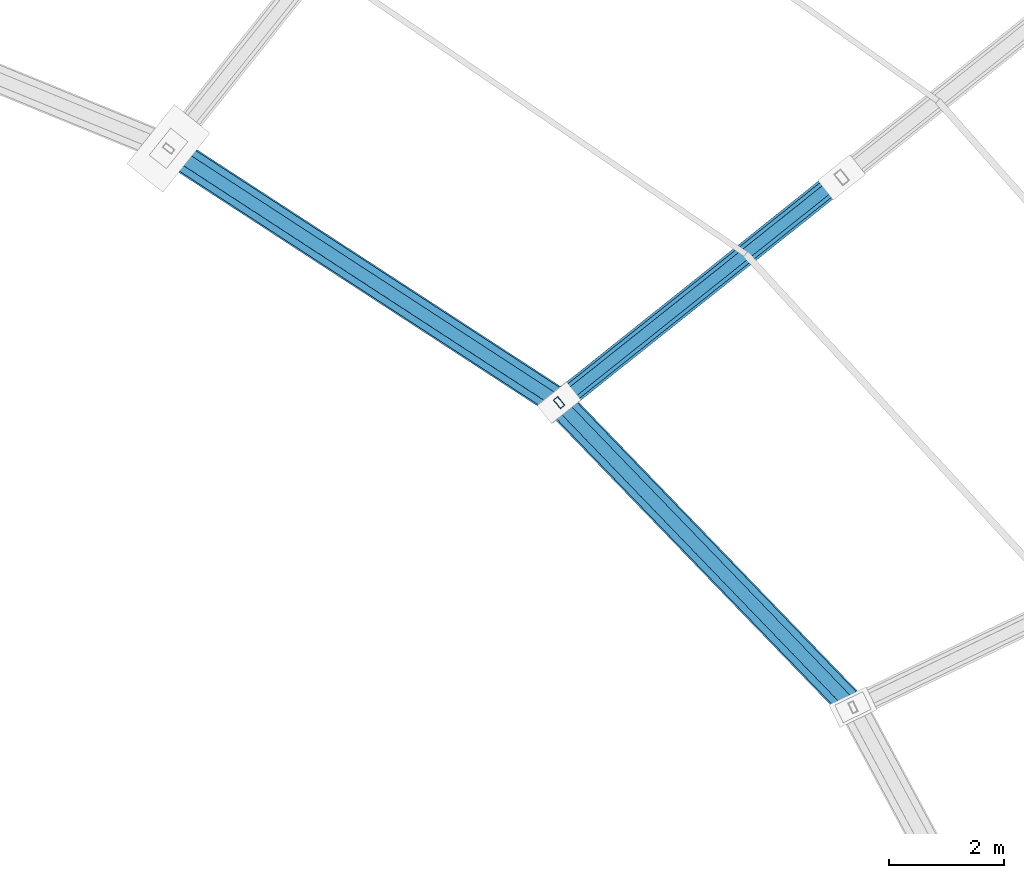
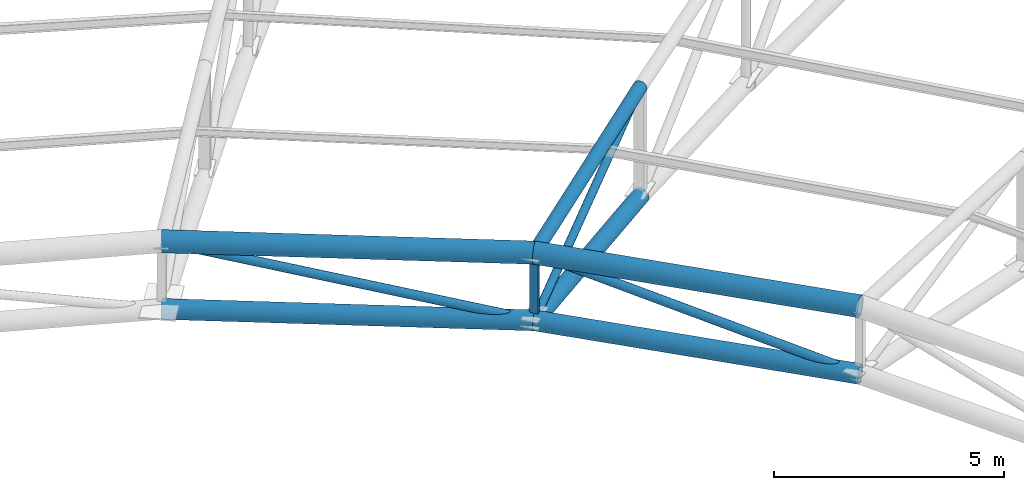
# One storey, part 45 of 108: 10 members.
"""IFC4 building model written with IfcOpenShell, lengths in metres."""

from ifc_helpers import new_model, si_unit, direction, frame, origin, origin_2d, place, context, subcontext, project, spatial, hollow_rectangle, hollow_circle, extrude, material, material_profile, profile_set, type_object, element, save


model = new_model("IFC4")

# Units and contexts
model_context = context("Model", 3, precision=1e-05, world=origin(), true_north=direction((0.0, 1.0)))
body_context = subcontext(model_context, "Body", "Model", "MODEL_VIEW")
ifc_project = project(units=[si_unit("LENGTHUNIT", "METRE"), si_unit("AREAUNIT", "SQUARE_METRE"), si_unit("VOLUMEUNIT", "CUBIC_METRE"), si_unit("PLANEANGLEUNIT", "RADIAN"), si_unit("MASSUNIT", "GRAM", prefix="KILO")], contexts=[model_context])

# Site, building, storey
site_placement = place(None, origin())
site = spatial("IfcSite", under=ifc_project, at=site_placement, CompositionType="ELEMENT")
building_placement = place(site_placement, origin())
building = spatial("IfcBuilding", under=site, at=building_placement, Name="Zevraka Park Crest Stadium", CompositionType="ELEMENT")
storey_placement = place(building_placement, frame((0.0, 0.0, 29.39990234375)))
storey = spatial("IfcBuildingStorey", under=building, at=storey_placement, Name="RF", CompositionType="ELEMENT", Elevation=29.39990234375)

# Members
ifc_material_1 = material(Name="Steel S355", Category="steel")
ifc_material_profile_1 = material_profile(ifc_material_1, hollow_circle(Radius=0.25390625, WallThickness=0.030029296875, at=origin_2d()), Name="CHS 508.0x30")
ifc_profile_set_1 = profile_set([ifc_material_profile_1], Name="Steel S355")
member_type_1 = type_object("IfcMemberType", Name="TC01", PredefinedType="CHORD", material=ifc_profile_set_1)
member_1_placement = place(storey_placement, frame((150.741943359375, 104.14892578125, 9.0), z_axis=(-0.694386610614, 0.7196021366, 0.0), x_axis=(-0.7196021366, -0.694386610614, 0.0)))
element("IfcMember", 1, at=member_1_placement, inside=storey, type_object=member_type_1, Name="Roof Inner Oculus Compression-Tension Ring TC01 03", PredefinedType="CHORD", context=body_context, shape_type="SweptSolid", body=[
    extrude(hollow_circle(Radius=0.25390625, WallThickness=0.030029296875, at=origin_2d()), origin(), (0.0, 0.0, 1.0), 7.377685546875),
])
member_2_placement = place(storey_placement, frame((145.618896484375, 109.4580078125, 9.0), z_axis=(-0.838029398843, 0.545625078855, 0.0), x_axis=(-0.545625078855, -0.838029398843, 0.0)))
element("IfcMember", 2, at=member_2_placement, inside=storey, type_object=member_type_1, Name="Roof Inner Oculus Compression-Tension Ring TC01 04", PredefinedType="CHORD", context=body_context, shape_type="SweptSolid", body=[
    extrude(hollow_circle(Radius=0.25390625, WallThickness=0.030029296875, at=origin_2d()), origin(), (0.0, 0.0, 1.0), 8.124755859375),
])
ifc_material_2 = material(Name="Steel S355", Category="steel")
ifc_material_profile_2 = material_profile(ifc_material_2, hollow_circle(Radius=0.228515625, WallThickness=0.02490234375, at=origin_2d()), Name="CHS 457.0x25")
ifc_profile_set_2 = profile_set([ifc_material_profile_2], Name="Steel S355")
member_type_2 = type_object("IfcMemberType", Name="TC02", PredefinedType="CHORD", material=ifc_profile_set_2)
member_3_placement = place(storey_placement, frame((150.741943359375, 104.14892578125, 7.2001953125), z_axis=(-0.694386610614, 0.7196021366, 0.0), x_axis=(-0.7196021366, -0.694386610614, 0.0)))
element("IfcMember", 3, at=member_3_placement, inside=storey, type_object=member_type_2, Name="Roof Inner Oculus Bottom Ring TC02 03", PredefinedType="CHORD", context=body_context, shape_type="SweptSolid", body=[
    extrude(hollow_circle(Radius=0.228515625, WallThickness=0.02490234375, at=origin_2d()), origin(), (0.0, 0.0, 1.0), 7.377685546875),
])
member_4_placement = place(storey_placement, frame((145.618896484375, 109.4580078125, 7.2001953125), z_axis=(-0.838029398843, 0.545625078855, 0.0), x_axis=(-0.545625078855, -0.838029398843, 0.0)))
element("IfcMember", 4, at=member_4_placement, inside=storey, type_object=member_type_2, Name="Roof Inner Oculus Bottom Ring TC02 04", PredefinedType="CHORD", context=body_context, shape_type="SweptSolid", body=[
    extrude(hollow_circle(Radius=0.228515625, WallThickness=0.02490234375, at=origin_2d()), origin(), (0.0, 0.0, 1.0), 8.124755859375),
])
ifc_material_3 = material(Name="Steel S355", Category="steel")
ifc_material_profile_3 = material_profile(ifc_material_3, hollow_circle(Radius=0.203125, WallThickness=0.02001953125, at=origin_2d()), Name="CHS 406.4x20")
ifc_profile_set_3 = profile_set([ifc_material_profile_3], Name="Steel S355")
member_type_3 = type_object("IfcMemberType", Name="TC03", PredefinedType="CHORD", material=ifc_profile_set_3)
member_5_placement = place(storey_placement, frame((150.5439453125, 113.385986328125, 6.400146484375), z_axis=(-0.775572281546, -0.618558590086, 0.125987724514), x_axis=(0.623526977414, -0.781801834506, 0.0)))
element("IfcMember", 5, at=member_5_placement, inside=storey, type_object=member_type_3, Name="Roof Truss Bottom Chord TC03 T04-7", PredefinedType="CHORD", context=body_context, shape_type="SweptSolid", body=[
    extrude(hollow_circle(Radius=0.203125, WallThickness=0.02001953125, at=origin_2d()), origin(), (0.0, 0.0, 1.0), 6.35009765625),
])
ifc_material_4 = material(Name="Steel S355", Category="steel")
ifc_material_profile_4 = material_profile(ifc_material_4, hollow_circle(Radius=0.161865234375, WallThickness=0.01611328125, at=origin_2d()), Name="CHS 323.9x16")
ifc_profile_set_4 = profile_set([ifc_material_profile_4], Name="Steel S355")
member_type_4 = type_object("IfcMemberType", Name="TC04", PredefinedType="CHORD", material=ifc_profile_set_4)
member_6_placement = place(storey_placement, frame((150.5439453125, 113.385986328125, 9.300048828125), z_axis=(-0.78091654628, -0.622820914742, -0.047575791175), x_axis=(0.623526977414, -0.781801834506, 0.0)))
element("IfcMember", 6, at=member_6_placement, inside=storey, type_object=member_type_4, Name="Roof Truss Top Chord TC04 T04-7", PredefinedType="CHORD", context=body_context, shape_type="SweptSolid", body=[
    extrude(hollow_circle(Radius=0.161865234375, WallThickness=0.01611328125, at=origin_2d()), origin(), (0.0, 0.0, 1.0), 6.306640625),
])
ifc_material_5 = material(Name="Steel S355", Category="steel")
ifc_material_profile_5 = material_profile(ifc_material_5, hollow_circle(Radius=0.109619140625, WallThickness=0.010009765625, at=origin_2d()), Name="CHS 219.1x10")
ifc_profile_set_5 = profile_set([ifc_material_profile_5], Name="Steel S355")
member_type_5 = type_object("IfcMemberType", Name="WB02", PredefinedType="BRACE", material=ifc_profile_set_5)
member_7_placement = place(storey_placement, frame((150.741943359375, 104.14892578125, 7.2001953125), z_axis=(-0.674603540831, 0.699100676655, 0.236998537124), x_axis=(-0.7196021366, -0.694386610614, 0.0)))
element("IfcMember", 7, at=member_7_placement, inside=storey, type_object=member_type_5, Name="Roof Oculus Ring Brace WB02 03", PredefinedType="BRACE", context=body_context, shape_type="SweptSolid", body=[
    extrude(hollow_circle(Radius=0.109619140625, WallThickness=0.010009765625, at=origin_2d()), origin(), (0.0, 0.0, 1.0), 7.59423828125),
])
member_8_placement = place(storey_placement, frame((145.618896484375, 109.4580078125, 7.2001953125), z_axis=(-0.81819505731, 0.53271131452, 0.216276451737), x_axis=(-0.545625078855, -0.838029398843, 0.0)))
element("IfcMember", 8, at=member_8_placement, inside=storey, type_object=member_type_5, Name="Roof Oculus Ring Brace WB02 04", PredefinedType="BRACE", context=body_context, shape_type="SweptSolid", body=[
    extrude(hollow_circle(Radius=0.109619140625, WallThickness=0.010009765625, at=origin_2d()), origin(), (0.0, 0.0, 1.0), 8.32177734375),
])
ifc_material_6 = material(Name="Steel S355", Category="steel")
ifc_material_profile_6 = material_profile(ifc_material_6, hollow_rectangle(XDim=0.10009765625, YDim=0.199951171875, WallThickness=0.008056640625, at=origin_2d()), Name="RHS 200x100x8")
ifc_profile_set_6 = profile_set([ifc_material_profile_6], Name="Steel S355")
member_type_6 = type_object("IfcMemberType", Name="WB05", PredefinedType="BRACE", material=ifc_profile_set_6)
member_9_placement = place(storey_placement, frame((145.618896484375, 109.4580078125, 7.2001953125), z_axis=(0.0, 0.0, 1.0), x_axis=(0.781847027868, 0.623470308046, 0.0)))
element("IfcMember", 9, at=member_9_placement, inside=storey, type_object=member_type_6, Name="Roof Truss Web Post WB05 T04-7", PredefinedType="BRACE", context=body_context, shape_type="SweptSolid", body=[
    extrude(hollow_rectangle(XDim=0.10009765625, YDim=0.199951171875, WallThickness=0.008056640625, at=origin_2d()), origin(), (0.0, 0.0, 1.0), 1.7998046875),
])
ifc_material_7 = material(Name="Steel S355", Category="steel")
ifc_material_profile_7 = material_profile(ifc_material_7, hollow_circle(Radius=0.096923828125, WallThickness=0.010009765625, at=origin_2d()), Name="CHS 193.7x10")
ifc_profile_set_7 = profile_set([ifc_material_profile_7], Name="Steel S355")
member_type_7 = type_object("IfcMemberType", Name="WB08", PredefinedType="BRACE", material=ifc_profile_set_7)
member_10_placement = place(storey_placement, frame((145.618896484375, 109.4580078125, 7.2001953125), z_axis=(0.741682957745, 0.591530119821, 0.316225406214), x_axis=(-0.623526977414, 0.781801834506, 0.0)))
element("IfcMember", 10, at=member_10_placement, inside=storey, type_object=member_type_7, Name="Roof Truss Web Diagonal WB08 T04-7", PredefinedType="BRACE", context=body_context, shape_type="SweptSolid", body=[
    extrude(hollow_circle(Radius=0.096923828125, WallThickness=0.010009765625, at=origin_2d()), origin(), (0.0, 0.0, 1.0), 6.640380859375),
])

save(model, "model.ifc")
